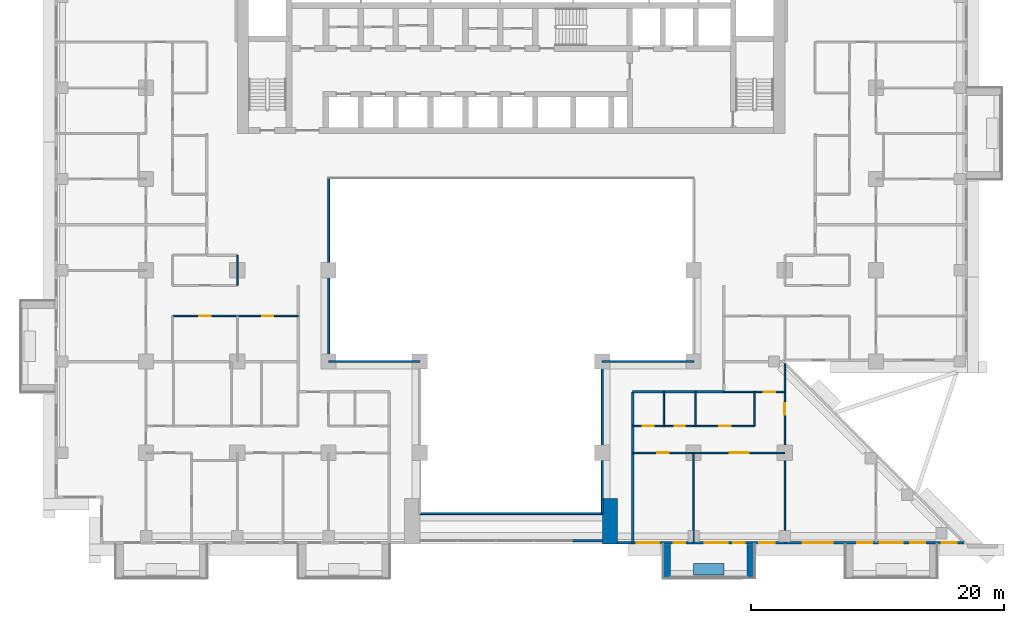
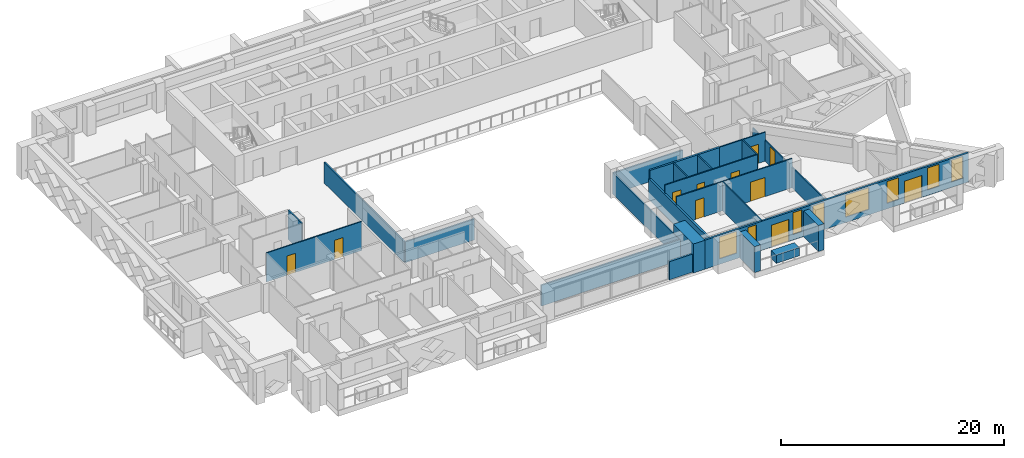
# One storey, part 8 of 17: 23 walls, 11 doors, 8 windows, 19 openings.
"""IFC4 building model written with IfcOpenShell, lengths in metres."""

from ifc_helpers import new_model, si_unit, direction, frame, frame_2d, origin, place, context, subcontext, project, spatial, rectangle, extrude, material, layer, layer_set, type_object, element, fill, save


model = new_model("IFC4")

# Units and contexts
model_context = context("Model", 3, precision=1e-05, world=origin(), true_north=direction((0.0, 1.0)))
body_context = subcontext(model_context, "Body", "Model", "MODEL_VIEW")
ifc_project = project(units=[si_unit("LENGTHUNIT", "METRE"), si_unit("AREAUNIT", "SQUARE_METRE"), si_unit("VOLUMEUNIT", "CUBIC_METRE"), si_unit("PLANEANGLEUNIT", "RADIAN"), si_unit("MASSUNIT", "GRAM", prefix="KILO")], contexts=[model_context])

# Site, building, storey
site_placement = place(None, origin())
site = spatial("IfcSite", under=ifc_project, at=site_placement, CompositionType="ELEMENT")
building_placement = place(site_placement, origin())
building = spatial("IfcBuilding", under=site, at=building_placement, Name="Saffron Iwan Residences", CompositionType="ELEMENT")
storey_placement = place(building_placement, frame((0.0, 0.0, 97.0)))
storey = spatial("IfcBuildingStorey", under=building, at=storey_placement, Name="L25", CompositionType="ELEMENT", Elevation=97.0)

# Walls
ifc_material_1 = material(Name="Fire-rated glazing", Category="glass")
ifc_layer_1 = layer(ifc_material_1, 0.14990234375)
ifc_layer_set_1 = layer_set([ifc_layer_1], Name="Fire-rated glazing")
wall_type_1 = type_object("IfcWallType", Name="Atrium glazed screen 150", PredefinedType="SOLIDWALL", material=ifc_layer_set_1)
wall_1_placement = place(storey_placement, frame((43.199951171875, 36.0, 0.0), z_axis=(0.0, 0.0, 1.0), x_axis=(1.0, 0.0, 0.0)))
element("IfcWall", 1, at=wall_1_placement, inside=storey, type_object=wall_type_1, Name="W-L25-SCREEN-h36-43.2", PredefinedType="SOLIDWALL", context=body_context, shape_type="SweptSolid", body=[
    extrude(rectangle(XDim=14.400146484375, YDim=0.14990234375, at=frame_2d((7.2001953125, 0.0))), origin(), (0.0, 0.0, 1.0), 2.280029296875),
])
for number, where, z_axis, x_axis, name in (
    (2, (36.0, 48.0, 0.0), (0.0, 0.0, 1.0), (1.0, 0.0, 0.0), "W-L25-SCREEN-h48-36"),
    (3, (57.60009765625, 48.0, 0.0), (0.0, 0.0, 1.0), (1.0, 0.0, 0.0), "W-L25-SCREEN-h48-57.6"),
):
    element("IfcWall", number, at=place(storey_placement, frame(where, z_axis=z_axis, x_axis=x_axis)), inside=storey, type_object=wall_type_1, Name=name, PredefinedType="SOLIDWALL", context=body_context, shape_type="SweptSolid", body=[
        extrude(rectangle(XDim=7.199951171875, YDim=0.14990234375, at=frame_2d((3.60009765625, 0.0))), origin(), (0.0, 0.0, 1.0), 2.280029296875),
    ])
wall_2_placement = place(storey_placement, frame((36.0, 48.0, 0.0), z_axis=(0.0, 0.0, 1.0), x_axis=(0.0, 1.0, 0.0)))
element("IfcWall", 4, at=wall_2_placement, inside=storey, type_object=wall_type_1, Name="W-L25-SCREEN-v36-48", PredefinedType="SOLIDWALL", context=body_context, shape_type="SweptSolid", body=[
    extrude(rectangle(XDim=14.39990234375, YDim=0.14990234375, at=frame_2d((7.199951171875, 0.0))), origin(), (0.0, 0.0, 1.0), 2.280029296875),
])
wall_3_placement = place(storey_placement, frame((57.60009765625, 36.0, 0.0), z_axis=(0.0, 0.0, 1.0), x_axis=(0.0, 1.0, 0.0)))
element("IfcWall", 5, at=wall_3_placement, inside=storey, type_object=wall_type_1, Name="W-L25-SCREEN-v57.6-36", PredefinedType="SOLIDWALL", context=body_context, shape_type="SweptSolid", body=[
    extrude(rectangle(XDim=12.0, YDim=0.14990234375, at=frame_2d((6.0, 0.0))), origin(), (0.0, 0.0, 1.0), 2.280029296875),
])
ifc_material_2 = material(Name="Concrete C50/60 white painted", Category="concrete")
ifc_layer_2 = layer(ifc_material_2, 0.60009765625)
ifc_layer_set_2 = layer_set([ifc_layer_2], Name="Concrete C50/60 white painted")
wall_type_2 = type_object("IfcWallType", Name="BALCONY FIN 600", PredefinedType="SOLIDWALL", material=ifc_layer_set_2)
for number, where, z_axis, x_axis, name in (
    (6, (62.699951171875, 33.550048828125, 0.0), (0.0, 0.0, 1.0), (0.0, -1.0, 0.0), "Balcony fin L25 11-2a"),
    (7, (69.300048828125, 33.550048828125, 0.0), (0.0, 0.0, 1.0), (0.0, -1.0, 0.0), "Balcony fin L25 11-2b"),
):
    element("IfcWall", number, at=place(storey_placement, frame(where, z_axis=z_axis, x_axis=x_axis)), inside=storey, type_object=wall_type_2, Name=name, PredefinedType="SOLIDWALL", context=body_context, shape_type="SweptSolid", body=[
        extrude(rectangle(XDim=2.650146484375, YDim=0.60009765625, at=frame_2d((1.3251953125, 0.0))), origin(), (0.0, 0.0, 1.0), 2.85009765625),
    ])
ifc_material_3 = material(Name="Concrete C35/45 white painted", Category="concrete")
ifc_layer_3 = layer(ifc_material_3, 0.14990234375)
ifc_layer_set_3 = layer_set([ifc_layer_3], Name="Concrete C35/45 white painted")
wall_type_3 = type_object("IfcWallType", Name="BALCONY PLANTER", PredefinedType="SOLIDWALL", material=ifc_layer_set_3)
wall_4_placement = place(storey_placement, frame((64.800048828125, 31.625, 0.0), z_axis=(0.0, 0.0, 1.0), x_axis=(1.0, 0.0, 0.0)))
element("IfcWall", 8, at=wall_4_placement, inside=storey, type_object=wall_type_3, Name="PLANTER L25 11-2", PredefinedType="SOLIDWALL", context=body_context, shape_type="SweptSolid", body=[
    extrude(rectangle(XDim=2.39990234375, YDim=0.89990234375, at=frame_2d((1.199951171875, 0.0))), origin(), (0.0, 0.0, 1.0), 0.89990234375),
])

# Wall, openings, doors, windows
ifc_material_4 = material(Name="Concrete C40/50", Category="concrete")
ifc_layer_4 = layer(ifc_material_4, 0.199951171875)
ifc_layer_set_4 = layer_set([ifc_layer_4], Name="Concrete C40/50")
wall_type_4 = type_object("IfcWallType", Name="EXTERNAL WALL 200", PredefinedType="SOLIDWALL", material=ifc_layer_set_4)
wall_5_placement = place(storey_placement, frame((58.800048828125, 33.699951171875, 0.0), z_axis=(0.0, 0.0, 1.0), x_axis=(1.0, 0.0, 0.0)))
wall_5 = element("IfcWall", 9, at=wall_5_placement, inside=storey, type_object=wall_type_4, Name="External wall L25 F11.1", PredefinedType="SOLIDWALL", context=body_context, shape_type="SweptSolid", body=[
    extrude(rectangle(XDim=27.358642578125, YDim=0.199951171875, at=frame_2d((13.67919921875, 0.0))), origin(), (0.0, 0.0, 1.0), 3.179931640625),
])
opening_1_placement = place(wall_5_placement, frame((6.89990234375, 0.0, 0.0)))
opening_1 = element("IfcOpeningElement", 10, at=opening_1_placement, cuts=wall_5, Name="Opening BD1", PredefinedType="OPENING", context=body_context, shape_type="SweptSolid", body=[
    extrude(rectangle(XDim=1.800048828125, YDim=2.39990234375, at=frame_2d((0.89990234375, 1.199951171875))), frame((0.0, 0.10986328125, 0.0), z_axis=(0.0, -1.0, 0.0), x_axis=(1.0, 0.0, 0.0)), (0.0, 0.0, 1.0), 0.219970703125),
])
opening_2_placement = place(wall_5_placement, frame((20.699951171875, 0.0, 0.0)))
opening_2 = element("IfcOpeningElement", 11, at=opening_2_placement, cuts=wall_5, Name="Opening BD1", PredefinedType="OPENING", context=body_context, shape_type="SweptSolid", body=[
    extrude(rectangle(XDim=1.800048828125, YDim=2.39990234375, at=frame_2d((0.89990234375, 1.199951171875))), frame((0.0, 0.10986328125, 0.0), z_axis=(0.0, -1.0, 0.0), x_axis=(1.0, 0.0, 0.0)), (0.0, 0.0, 1.0), 0.219970703125),
])
opening_3_placement = place(wall_5_placement, frame((9.14990234375, 0.0, 0.60009765625)))
opening_3 = element("IfcOpeningElement", 12, at=opening_3_placement, cuts=wall_5, Name="Opening W10", PredefinedType="OPENING", context=body_context, shape_type="SweptSolid", body=[
    extrude(rectangle(XDim=0.89990234375, YDim=2.39990234375, at=frame_2d((0.449951171875, 1.199951171875))), frame((0.0, 0.10986328125, 0.0), z_axis=(0.0, -1.0, 0.0), x_axis=(1.0, 0.0, 0.0)), (0.0, 0.0, 1.0), 0.219970703125),
])
opening_4_placement = place(wall_5_placement, frame((11.199951171875, 0.0, 0.60009765625)))
opening_4 = element("IfcOpeningElement", 13, at=opening_4_placement, cuts=wall_5, Name="Opening W3", PredefinedType="OPENING", context=body_context, shape_type="SweptSolid", body=[
    extrude(rectangle(XDim=1.199951171875, YDim=2.39990234375, at=frame_2d((0.60009765625, 1.199951171875))), frame((0.0, 0.10986328125, 0.0), z_axis=(0.0, -1.0, 0.0), x_axis=(1.0, 0.0, 0.0)), (0.0, 0.0, 1.0), 0.219970703125),
])
opening_5_placement = place(wall_5_placement, frame((1.5, 0.0, 0.60009765625)))
opening_5 = element("IfcOpeningElement", 14, at=opening_5_placement, cuts=wall_5, Name="Opening W8", PredefinedType="OPENING", context=body_context, shape_type="SweptSolid", body=[
    extrude(rectangle(XDim=1.800048828125, YDim=2.39990234375, at=frame_2d((0.89990234375, 1.199951171875))), frame((0.0, 0.10986328125, 0.0), z_axis=(0.0, -1.0, 0.0), x_axis=(1.0, 0.0, 0.0)), (0.0, 0.0, 1.0), 0.219970703125),
])
opening_6_placement = place(wall_5_placement, frame((4.449951171875, 0.0, 0.60009765625)))
opening_6 = element("IfcOpeningElement", 15, at=opening_6_placement, cuts=wall_5, Name="Opening W10", PredefinedType="OPENING", context=body_context, shape_type="SweptSolid", body=[
    extrude(rectangle(XDim=0.89990234375, YDim=2.39990234375, at=frame_2d((0.449951171875, 1.199951171875))), frame((0.0, 0.10986328125, 0.0), z_axis=(0.0, -1.0, 0.0), x_axis=(1.0, 0.0, 0.0)), (0.0, 0.0, 1.0), 0.219970703125),
])
opening_7_placement = place(wall_5_placement, frame((14.60009765625, 0.0, 0.60009765625)))
opening_7 = element("IfcOpeningElement", 16, at=opening_7_placement, cuts=wall_5, Name="Opening W1", PredefinedType="OPENING", context=body_context, shape_type="SweptSolid", body=[
    extrude(rectangle(XDim=2.39990234375, YDim=2.39990234375, at=frame_2d((1.199951171875, 1.199951171875))), frame((0.0, 0.10986328125, 0.0), z_axis=(0.0, -1.0, 0.0), x_axis=(1.0, 0.0, 0.0)), (0.0, 0.0, 1.0), 0.219970703125),
])
opening_8_placement = place(wall_5_placement, frame((18.89990234375, 0.0, 0.60009765625)))
opening_8 = element("IfcOpeningElement", 17, at=opening_8_placement, cuts=wall_5, Name="Opening W3", PredefinedType="OPENING", context=body_context, shape_type="SweptSolid", body=[
    extrude(rectangle(XDim=1.199951171875, YDim=2.39990234375, at=frame_2d((0.60009765625, 1.199951171875))), frame((0.0, 0.10986328125, 0.0), z_axis=(0.0, -1.0, 0.0), x_axis=(1.0, 0.0, 0.0)), (0.0, 0.0, 1.0), 0.219970703125),
])
opening_9_placement = place(wall_5_placement, frame((23.10009765625, 0.0, 0.60009765625)))
opening_9 = element("IfcOpeningElement", 18, at=opening_9_placement, cuts=wall_5, Name="Opening W3", PredefinedType="OPENING", context=body_context, shape_type="SweptSolid", body=[
    extrude(rectangle(XDim=1.199951171875, YDim=2.39990234375, at=frame_2d((0.60009765625, 1.199951171875))), frame((0.0, 0.10986328125, 0.0), z_axis=(0.0, -1.0, 0.0), x_axis=(1.0, 0.0, 0.0)), (0.0, 0.0, 1.0), 0.219970703125),
])
opening_10_placement = place(wall_5_placement, frame((25.579345703125, 0.0, 0.60009765625)))
opening_10 = element("IfcOpeningElement", 19, at=opening_10_placement, cuts=wall_5, Name="Opening W3", PredefinedType="OPENING", context=body_context, shape_type="SweptSolid", body=[
    extrude(rectangle(XDim=1.199951171875, YDim=2.39990234375, at=frame_2d((0.60009765625, 1.199951171875))), frame((0.0, 0.10986328125, 0.0), z_axis=(0.0, -1.0, 0.0), x_axis=(1.0, 0.0, 0.0)), (0.0, 0.0, 1.0), 0.219970703125),
])
ifc_material_5 = material(Name="Clear glass, laminated double glazed", Category="glass")
door_type_1 = type_object("IfcDoorType", Name="BALCONY DOOR 1800 x 2400", OperationType="DOUBLE_DOOR_SLIDING", PredefinedType="DOOR", material=ifc_material_5)
door_1_placement = place(opening_1_placement, origin())
door_1 = element("IfcDoor", 20, at=door_1_placement, inside=storey, type_object=door_type_1, Name="Balcony door L25 F11.0", OperationType="DOUBLE_DOOR_SLIDING", OverallHeight=2.39990234375, OverallWidth=1.800048828125, PredefinedType="DOOR", context=body_context, shape_type="SweptSolid", body=[
    extrude(rectangle(XDim=1.800048828125, YDim=2.39990234375, at=frame_2d((0.89990234375, 1.199951171875))), frame((0.0, 0.02490234375, 0.0), z_axis=(0.0, -1.0, 0.0), x_axis=(1.0, 0.0, 0.0)), (0.0, 0.0, 1.0), 0.050048828125),
])
fill(opening_1, door_1)
door_2_placement = place(opening_2_placement, origin())
door_2 = element("IfcDoor", 21, at=door_2_placement, inside=storey, type_object=door_type_1, Name="Balcony door L25 F11.1", OperationType="DOUBLE_DOOR_SLIDING", OverallHeight=2.39990234375, OverallWidth=1.800048828125, PredefinedType="DOOR", context=body_context, shape_type="SweptSolid", body=[
    extrude(rectangle(XDim=1.800048828125, YDim=2.39990234375, at=frame_2d((0.89990234375, 1.199951171875))), frame((0.0, 0.02490234375, 0.0), z_axis=(0.0, -1.0, 0.0), x_axis=(1.0, 0.0, 0.0)), (0.0, 0.0, 1.0), 0.050048828125),
])
fill(opening_2, door_2)
window_type_1 = type_object("IfcWindowType", Name="WINDOW 1200 x 2400", PartitioningType="SINGLE_PANEL", PredefinedType="WINDOW", material=ifc_material_5)
window_1_placement = place(opening_4_placement, origin())
window_1 = element("IfcWindow", 22, at=window_1_placement, inside=storey, type_object=window_type_1, Name="Window L25 F11.3", OverallHeight=2.39990234375, OverallWidth=1.199951171875, PartitioningType="SINGLE_PANEL", PredefinedType="WINDOW", context=body_context, shape_type="SweptSolid", body=[
    extrude(rectangle(XDim=1.199951171875, YDim=2.39990234375, at=frame_2d((0.60009765625, 1.199951171875))), frame((0.0, 0.030029296875, 0.0), z_axis=(0.0, -1.0, 0.0), x_axis=(1.0, 0.0, 0.0)), (0.0, 0.0, 1.0), 0.06005859375),
])
fill(opening_4, window_1)
window_2_placement = place(opening_8_placement, origin())
window_2 = element("IfcWindow", 23, at=window_2_placement, inside=storey, type_object=window_type_1, Name="Window L25 F11.7", OverallHeight=2.39990234375, OverallWidth=1.199951171875, PartitioningType="SINGLE_PANEL", PredefinedType="WINDOW", context=body_context, shape_type="SweptSolid", body=[
    extrude(rectangle(XDim=1.199951171875, YDim=2.39990234375, at=frame_2d((0.60009765625, 1.199951171875))), frame((0.0, 0.030029296875, 0.0), z_axis=(0.0, -1.0, 0.0), x_axis=(1.0, 0.0, 0.0)), (0.0, 0.0, 1.0), 0.06005859375),
])
fill(opening_8, window_2)
window_3_placement = place(opening_9_placement, origin())
window_3 = element("IfcWindow", 24, at=window_3_placement, inside=storey, type_object=window_type_1, Name="Window L25 F11.8", OverallHeight=2.39990234375, OverallWidth=1.199951171875, PartitioningType="SINGLE_PANEL", PredefinedType="WINDOW", context=body_context, shape_type="SweptSolid", body=[
    extrude(rectangle(XDim=1.199951171875, YDim=2.39990234375, at=frame_2d((0.60009765625, 1.199951171875))), frame((0.0, 0.030029296875, 0.0), z_axis=(0.0, -1.0, 0.0), x_axis=(1.0, 0.0, 0.0)), (0.0, 0.0, 1.0), 0.06005859375),
])
fill(opening_9, window_3)
window_4_placement = place(opening_10_placement, origin())
window_4 = element("IfcWindow", 25, at=window_4_placement, inside=storey, type_object=window_type_1, Name="Window L25 F11.9", OverallHeight=2.39990234375, OverallWidth=1.199951171875, PartitioningType="SINGLE_PANEL", PredefinedType="WINDOW", context=body_context, shape_type="SweptSolid", body=[
    extrude(rectangle(XDim=1.199951171875, YDim=2.39990234375, at=frame_2d((0.60009765625, 1.199951171875))), frame((0.0, 0.030029296875, 0.0), z_axis=(0.0, -1.0, 0.0), x_axis=(1.0, 0.0, 0.0)), (0.0, 0.0, 1.0), 0.06005859375),
])
fill(opening_10, window_4)
window_type_2 = type_object("IfcWindowType", Name="WINDOW 1800 x 2400", PartitioningType="DOUBLE_PANEL_VERTICAL", PredefinedType="WINDOW", material=ifc_material_5)
window_5_placement = place(opening_5_placement, origin())
window_5 = element("IfcWindow", 26, at=window_5_placement, inside=storey, type_object=window_type_2, Name="Window L25 F11.4", OverallHeight=2.39990234375, OverallWidth=1.800048828125, PartitioningType="DOUBLE_PANEL_VERTICAL", PredefinedType="WINDOW", context=body_context, shape_type="SweptSolid", body=[
    extrude(rectangle(XDim=1.800048828125, YDim=2.39990234375, at=frame_2d((0.89990234375, 1.199951171875))), frame((0.0, 0.030029296875, 0.0), z_axis=(0.0, -1.0, 0.0), x_axis=(1.0, 0.0, 0.0)), (0.0, 0.0, 1.0), 0.06005859375),
])
fill(opening_5, window_5)
window_type_3 = type_object("IfcWindowType", Name="WINDOW 2400 x 2400", PartitioningType="DOUBLE_PANEL_VERTICAL", PredefinedType="WINDOW", material=ifc_material_5)
window_6_placement = place(opening_7_placement, origin())
window_6 = element("IfcWindow", 27, at=window_6_placement, inside=storey, type_object=window_type_3, Name="Window L25 F11.6", OverallHeight=2.39990234375, OverallWidth=2.39990234375, PartitioningType="DOUBLE_PANEL_VERTICAL", PredefinedType="WINDOW", context=body_context, shape_type="SweptSolid", body=[
    extrude(rectangle(XDim=2.39990234375, YDim=2.39990234375, at=frame_2d((1.199951171875, 1.199951171875))), frame((0.0, 0.030029296875, 0.0), z_axis=(0.0, -1.0, 0.0), x_axis=(1.0, 0.0, 0.0)), (0.0, 0.0, 1.0), 0.06005859375),
])
fill(opening_7, window_6)
window_type_4 = type_object("IfcWindowType", Name="WINDOW 900 x 2400", PartitioningType="SINGLE_PANEL", PredefinedType="WINDOW", material=ifc_material_5)
window_7_placement = place(opening_3_placement, origin())
window_7 = element("IfcWindow", 28, at=window_7_placement, inside=storey, type_object=window_type_4, Name="Window L25 F11.2", OverallHeight=2.39990234375, OverallWidth=0.89990234375, PartitioningType="SINGLE_PANEL", PredefinedType="WINDOW", context=body_context, shape_type="SweptSolid", body=[
    extrude(rectangle(XDim=0.89990234375, YDim=2.39990234375, at=frame_2d((0.449951171875, 1.199951171875))), frame((0.0, 0.030029296875, 0.0), z_axis=(0.0, -1.0, 0.0), x_axis=(1.0, 0.0, 0.0)), (0.0, 0.0, 1.0), 0.06005859375),
])
fill(opening_3, window_7)
window_8_placement = place(opening_6_placement, origin())
window_8 = element("IfcWindow", 29, at=window_8_placement, inside=storey, type_object=window_type_4, Name="Window L25 F11.5", OverallHeight=2.39990234375, OverallWidth=0.89990234375, PartitioningType="SINGLE_PANEL", PredefinedType="WINDOW", context=body_context, shape_type="SweptSolid", body=[
    extrude(rectangle(XDim=0.89990234375, YDim=2.39990234375, at=frame_2d((0.449951171875, 1.199951171875))), frame((0.0, 0.030029296875, 0.0), z_axis=(0.0, -1.0, 0.0), x_axis=(1.0, 0.0, 0.0)), (0.0, 0.0, 1.0), 0.06005859375),
])
fill(opening_6, window_8)

# Wall
wall_6_placement = place(storey_placement, frame((55.199951171875, 33.85009765625, 0.0), z_axis=(0.0, 0.0, 1.0), x_axis=(1.0, 0.0, 0.0)))
element("IfcWall", 30, at=wall_6_placement, inside=storey, type_object=wall_type_4, Name="External wall infill CWB-L25-0", PredefinedType="SOLIDWALL", context=body_context, shape_type="SweptSolid", body=[
    extrude(rectangle(XDim=2.400146484375, YDim=0.199951171875, at=frame_2d((1.2001953125, 0.0))), origin(), (0.0, 0.0, 1.0), 1.97998046875),
])

# Wall, openings, doors
ifc_material_6 = material(Name="Gypsum board partition")
ifc_layer_5 = layer(ifc_material_6, 0.1201171875)
ifc_layer_set_5 = layer_set([ifc_layer_5], Name="Gypsum board partition")
wall_type_5 = type_object("IfcWallType", Name="Flat partition 120", PredefinedType="PARTITIONING", material=ifc_layer_set_5)
wall_7_placement = place(storey_placement, frame((60.0, 40.800048828125, 0.0), z_axis=(0.0, 0.0, 1.0), x_axis=(1.0, 0.0, 0.0)))
wall_7 = element("IfcWall", 31, at=wall_7_placement, inside=storey, type_object=wall_type_5, Name="W-L25-PART-h40.8-60", PredefinedType="PARTITIONING", context=body_context, shape_type="SweptSolid", body=[
    extrude(rectangle(XDim=12.0, YDim=0.1201171875, at=frame_2d((6.0, 0.0))), origin(), (0.0, 0.0, 1.0), 3.179931640625),
])
opening_11_placement = place(wall_7_placement, frame((7.64990234375, 0.0, 0.0)))
opening_11 = element("IfcOpeningElement", 32, at=opening_11_placement, cuts=wall_7, Name="Opening FD4", PredefinedType="OPENING", context=body_context, shape_type="SweptSolid", body=[
    extrude(rectangle(XDim=1.5, YDim=2.10009765625, at=frame_2d((0.75, 1.050048828125))), frame((0.0, 0.070068359375, 0.0), z_axis=(0.0, -1.0, 0.0), x_axis=(1.0, 0.0, 0.0)), (0.0, 0.0, 1.0), 0.14013671875),
])
opening_12_placement = place(wall_7_placement, frame((1.949951171875, 0.0, 0.0)))
opening_12 = element("IfcOpeningElement", 33, at=opening_12_placement, cuts=wall_7, Name="Opening FD2", PredefinedType="OPENING", context=body_context, shape_type="SweptSolid", body=[
    extrude(rectangle(XDim=0.89990234375, YDim=2.10009765625, at=frame_2d((0.449951171875, 1.050048828125))), frame((0.0, 0.070068359375, 0.0), z_axis=(0.0, -1.0, 0.0), x_axis=(1.0, 0.0, 0.0)), (0.0, 0.0, 1.0), 0.14013671875),
])
ifc_material_7 = material(Name="Timber door", Category="wood")
door_type_2 = type_object("IfcDoorType", Name="Double door 1500", OperationType="NOTDEFINED", PredefinedType="DOOR", material=ifc_material_7)
door_3_placement = place(opening_11_placement, origin())
door_3 = element("IfcDoor", 34, at=door_3_placement, inside=storey, type_object=door_type_2, Name="Door L25-046", OperationType="SINGLE_SWING_LEFT", OverallHeight=2.10009765625, OverallWidth=1.5, PredefinedType="DOOR", context=body_context, shape_type="SweptSolid", body=[
    extrude(rectangle(XDim=1.5, YDim=2.10009765625, at=frame_2d((0.75, 1.050048828125))), frame((0.0, 0.02490234375, 0.0), z_axis=(0.0, -1.0, 0.0), x_axis=(1.0, 0.0, 0.0)), (0.0, 0.0, 1.0), 0.050048828125),
])
fill(opening_11, door_3)
door_type_3 = type_object("IfcDoorType", Name="Flat door 900", OperationType="NOTDEFINED", PredefinedType="DOOR", material=ifc_material_7)
door_4_placement = place(opening_12_placement, origin())
door_4 = element("IfcDoor", 35, at=door_4_placement, inside=storey, type_object=door_type_3, Name="Door L25-047", OperationType="SINGLE_SWING_LEFT", OverallHeight=2.10009765625, OverallWidth=0.89990234375, PredefinedType="DOOR", context=body_context, shape_type="SweptSolid", body=[
    extrude(rectangle(XDim=0.89990234375, YDim=2.10009765625, at=frame_2d((0.449951171875, 1.050048828125))), frame((0.0, 0.02490234375, 0.0), z_axis=(0.0, -1.0, 0.0), x_axis=(1.0, 0.0, 0.0)), (0.0, 0.0, 1.0), 0.050048828125),
])
fill(opening_12, door_4)

wall_8_placement = place(storey_placement, frame((60.0, 42.89990234375, 0.0), z_axis=(0.0, 0.0, 1.0), x_axis=(1.0, 0.0, 0.0)))
wall_8 = element("IfcWall", 36, at=wall_8_placement, inside=storey, type_object=wall_type_5, Name="W-L25-PART-h42.9-60", PredefinedType="PARTITIONING", context=body_context, shape_type="SweptSolid", body=[
    extrude(rectangle(XDim=9.60009765625, YDim=0.1201171875, at=frame_2d((4.800048828125, 0.0))), origin(), (0.0, 0.0, 1.0), 3.179931640625),
])
opening_13_placement = place(wall_8_placement, frame((6.824951171875, 0.0, 0.0)))
opening_13 = element("IfcOpeningElement", 37, at=opening_13_placement, cuts=wall_8, Name="Opening FD2", PredefinedType="OPENING", context=body_context, shape_type="SweptSolid", body=[
    extrude(rectangle(XDim=0.89990234375, YDim=2.10009765625, at=frame_2d((0.449951171875, 1.050048828125))), frame((0.0, 0.070068359375, 0.0), z_axis=(0.0, -1.0, 0.0), x_axis=(1.0, 0.0, 0.0)), (0.0, 0.0, 1.0), 0.14013671875),
])
opening_14_placement = place(wall_8_placement, frame((3.300048828125, 0.0, 0.0)))
opening_14 = element("IfcOpeningElement", 38, at=opening_14_placement, cuts=wall_8, Name="Opening FD3", PredefinedType="OPENING", context=body_context, shape_type="SweptSolid", body=[
    extrude(rectangle(XDim=0.800048828125, YDim=2.10009765625, at=frame_2d((0.39990234375, 1.050048828125))), frame((0.0, 0.070068359375, 0.0), z_axis=(0.0, -1.0, 0.0), x_axis=(1.0, 0.0, 0.0)), (0.0, 0.0, 1.0), 0.14013671875),
])
opening_15_placement = place(wall_8_placement, frame((0.77490234375, 0.0, 0.0)))
opening_15 = element("IfcOpeningElement", 39, at=opening_15_placement, cuts=wall_8, Name="Opening FD2", PredefinedType="OPENING", context=body_context, shape_type="SweptSolid", body=[
    extrude(rectangle(XDim=0.89990234375, YDim=2.10009765625, at=frame_2d((0.449951171875, 1.050048828125))), frame((0.0, 0.070068359375, 0.0), z_axis=(0.0, -1.0, 0.0), x_axis=(1.0, 0.0, 0.0)), (0.0, 0.0, 1.0), 0.14013671875),
])
door_type_4 = type_object("IfcDoorType", Name="Bathroom door 800", OperationType="NOTDEFINED", PredefinedType="DOOR", material=ifc_material_7)
door_5_placement = place(opening_14_placement, origin())
door_5 = element("IfcDoor", 40, at=door_5_placement, inside=storey, type_object=door_type_4, Name="Door L25-049", OperationType="SINGLE_SWING_LEFT", OverallHeight=2.10009765625, OverallWidth=0.800048828125, PredefinedType="DOOR", context=body_context, shape_type="SweptSolid", body=[
    extrude(rectangle(XDim=0.800048828125, YDim=2.10009765625, at=frame_2d((0.39990234375, 1.050048828125))), frame((0.0, 0.02490234375, 0.0), z_axis=(0.0, -1.0, 0.0), x_axis=(1.0, 0.0, 0.0)), (0.0, 0.0, 1.0), 0.050048828125),
])
fill(opening_14, door_5)
door_6_placement = place(opening_13_placement, origin())
door_6 = element("IfcDoor", 41, at=door_6_placement, inside=storey, type_object=door_type_3, Name="Door L25-048", OperationType="SINGLE_SWING_RIGHT", OverallHeight=2.10009765625, OverallWidth=0.89990234375, PredefinedType="DOOR", context=body_context, shape_type="SweptSolid", body=[
    extrude(rectangle(XDim=0.89990234375, YDim=2.10009765625, at=frame_2d((0.449951171875, 1.050048828125))), frame((0.0, 0.02490234375, 0.0), z_axis=(0.0, -1.0, 0.0), x_axis=(1.0, 0.0, 0.0)), (0.0, 0.0, 1.0), 0.050048828125),
])
fill(opening_13, door_6)
door_7_placement = place(opening_15_placement, origin())
door_7 = element("IfcDoor", 42, at=door_7_placement, inside=storey, type_object=door_type_3, Name="Door L25-050", OperationType="SINGLE_SWING_LEFT", OverallHeight=2.10009765625, OverallWidth=0.89990234375, PredefinedType="DOOR", context=body_context, shape_type="SweptSolid", body=[
    extrude(rectangle(XDim=0.89990234375, YDim=2.10009765625, at=frame_2d((0.449951171875, 1.050048828125))), frame((0.0, 0.02490234375, 0.0), z_axis=(0.0, -1.0, 0.0), x_axis=(1.0, 0.0, 0.0)), (0.0, 0.0, 1.0), 0.050048828125),
])
fill(opening_15, door_7)

# Wall, opening, door
wall_9_placement = place(storey_placement, frame((67.199951171875, 45.60009765625, 0.0), z_axis=(0.0, 0.0, 1.0), x_axis=(1.0, 0.0, 0.0)))
wall_9 = element("IfcWall", 43, at=wall_9_placement, inside=storey, type_object=wall_type_5, Name="W-L25-PART-h45.6-67.2", PredefinedType="PARTITIONING", context=body_context, shape_type="SweptSolid", body=[
    extrude(rectangle(XDim=4.800048828125, YDim=0.1201171875, at=frame_2d((2.39990234375, 0.0))), origin(), (0.0, 0.0, 1.0), 3.179931640625),
])
opening_16_placement = place(wall_9_placement, frame((3.14990234375, 0.0, 0.0)))
opening_16 = element("IfcOpeningElement", 44, at=opening_16_placement, cuts=wall_9, Name="Opening FD2", PredefinedType="OPENING", context=body_context, shape_type="SweptSolid", body=[
    extrude(rectangle(XDim=0.89990234375, YDim=2.10009765625, at=frame_2d((0.449951171875, 1.050048828125))), frame((0.0, 0.070068359375, 0.0), z_axis=(0.0, -1.0, 0.0), x_axis=(1.0, 0.0, 0.0)), (0.0, 0.0, 1.0), 0.14013671875),
])
door_8_placement = place(opening_16_placement, origin())
door_8 = element("IfcDoor", 45, at=door_8_placement, inside=storey, type_object=door_type_3, Name="Door L25-044", OperationType="SINGLE_SWING_LEFT", OverallHeight=2.10009765625, OverallWidth=0.89990234375, PredefinedType="DOOR", context=body_context, shape_type="SweptSolid", body=[
    extrude(rectangle(XDim=0.89990234375, YDim=2.10009765625, at=frame_2d((0.449951171875, 1.050048828125))), frame((0.0, 0.02490234375, 0.0), z_axis=(0.0, -1.0, 0.0), x_axis=(1.0, 0.0, 0.0)), (0.0, 0.0, 1.0), 0.050048828125),
])
fill(opening_16, door_8)

# Wall, openings, doors
wall_10_placement = place(storey_placement, frame((23.699951171875, 51.60009765625, 0.0), z_axis=(0.0, 0.0, 1.0), x_axis=(1.0, 0.0, 0.0)))
wall_10 = element("IfcWall", 46, at=wall_10_placement, inside=storey, type_object=wall_type_5, Name="W-L25-PART-h51.6-23.7", PredefinedType="PARTITIONING", context=body_context, shape_type="SweptSolid", body=[
    extrude(rectangle(XDim=9.900146484375, YDim=0.1201171875, at=frame_2d((4.9501953125, 0.0))), origin(), (0.0, 0.0, 1.0), 3.179931640625),
])
opening_17_placement = place(wall_10_placement, frame((2.10009765625, 0.0, 0.0)))
opening_17 = element("IfcOpeningElement", 47, at=opening_17_placement, cuts=wall_10, Name="Opening FD2", PredefinedType="OPENING", context=body_context, shape_type="SweptSolid", body=[
    extrude(rectangle(XDim=0.89990234375, YDim=2.10009765625, at=frame_2d((0.449951171875, 1.050048828125))), frame((0.0, 0.070068359375, 0.0), z_axis=(0.0, -1.0, 0.0), x_axis=(1.0, 0.0, 0.0)), (0.0, 0.0, 1.0), 0.14013671875),
])
opening_18_placement = place(wall_10_placement, frame((7.050048828125, 0.0, 0.0)))
opening_18 = element("IfcOpeningElement", 48, at=opening_18_placement, cuts=wall_10, Name="Opening FD2", PredefinedType="OPENING", context=body_context, shape_type="SweptSolid", body=[
    extrude(rectangle(XDim=0.89990234375, YDim=2.10009765625, at=frame_2d((0.449951171875, 1.050048828125))), frame((0.0, 0.070068359375, 0.0), z_axis=(0.0, -1.0, 0.0), x_axis=(1.0, 0.0, 0.0)), (0.0, 0.0, 1.0), 0.14013671875),
])
door_9_placement = place(opening_17_placement, origin())
door_9 = element("IfcDoor", 49, at=door_9_placement, inside=storey, type_object=door_type_3, Name="Door L25-017", OperationType="SINGLE_SWING_LEFT", OverallHeight=2.10009765625, OverallWidth=0.89990234375, PredefinedType="DOOR", context=body_context, shape_type="SweptSolid", body=[
    extrude(rectangle(XDim=0.89990234375, YDim=2.10009765625, at=frame_2d((0.449951171875, 1.050048828125))), frame((0.0, 0.02490234375, 0.0), z_axis=(0.0, -1.0, 0.0), x_axis=(1.0, 0.0, 0.0)), (0.0, 0.0, 1.0), 0.050048828125),
])
fill(opening_17, door_9)
door_10_placement = place(opening_18_placement, origin())
door_10 = element("IfcDoor", 50, at=door_10_placement, inside=storey, type_object=door_type_3, Name="Door L25-019", OperationType="SINGLE_SWING_LEFT", OverallHeight=2.10009765625, OverallWidth=0.89990234375, PredefinedType="DOOR", context=body_context, shape_type="SweptSolid", body=[
    extrude(rectangle(XDim=0.89990234375, YDim=2.10009765625, at=frame_2d((0.449951171875, 1.050048828125))), frame((0.0, 0.02490234375, 0.0), z_axis=(0.0, -1.0, 0.0), x_axis=(1.0, 0.0, 0.0)), (0.0, 0.0, 1.0), 0.050048828125),
])
fill(opening_18, door_10)

# Walls
wall_11_placement = place(storey_placement, frame((28.800048828125, 54.0, 0.0), z_axis=(0.0, 0.0, 1.0), x_axis=(0.0, 1.0, 0.0)))
element("IfcWall", 51, at=wall_11_placement, inside=storey, type_object=wall_type_5, Name="W-L25-PART-v28.8-54", PredefinedType="PARTITIONING", context=body_context, shape_type="SweptSolid", body=[
    extrude(rectangle(XDim=2.39990234375, YDim=0.1201171875, at=frame_2d((1.199951171875, 0.0))), origin(), (0.0, 0.0, 1.0), 3.179931640625),
])
wall_12_placement = place(storey_placement, frame((62.449951171875, 42.89990234375, 0.0), z_axis=(0.0, 0.0, 1.0), x_axis=(0.0, 1.0, 0.0)))
element("IfcWall", 52, at=wall_12_placement, inside=storey, type_object=wall_type_5, Name="W-L25-PART-v62.45-42.9", PredefinedType="PARTITIONING", context=body_context, shape_type="SweptSolid", body=[
    extrude(rectangle(XDim=2.7001953125, YDim=0.1201171875, at=frame_2d((1.35009765625, 0.0))), origin(), (0.0, 0.0, 1.0), 3.179931640625),
])
wall_13_placement = place(storey_placement, frame((64.800048828125, 33.72509765625, 0.0), z_axis=(0.0, 0.0, 1.0), x_axis=(0.0, 1.0, 0.0)))
element("IfcWall", 53, at=wall_13_placement, inside=storey, type_object=wall_type_5, Name="W-L25-PART-v64.8-33.725", PredefinedType="PARTITIONING", context=body_context, shape_type="SweptSolid", body=[
    extrude(rectangle(XDim=7.074951171875, YDim=0.1201171875, at=frame_2d((3.53759765625, 0.0))), origin(), (0.0, 0.0, 1.0), 3.179931640625),
])
for number, where, z_axis, x_axis, name in (
    (54, (64.949951171875, 42.89990234375, 0.0), (0.0, 0.0, 1.0), (0.0, 1.0, 0.0), "W-L25-PART-v64.95-42.9"),
    (55, (69.60009765625, 42.89990234375, 0.0), (0.0, 0.0, 1.0), (0.0, 1.0, 0.0), "W-L25-PART-v69.6-42.9"),
):
    element("IfcWall", number, at=place(storey_placement, frame(where, z_axis=z_axis, x_axis=x_axis)), inside=storey, type_object=wall_type_5, Name=name, PredefinedType="PARTITIONING", context=body_context, shape_type="SweptSolid", body=[
        extrude(rectangle(XDim=2.7001953125, YDim=0.1201171875, at=frame_2d((1.35009765625, 0.0))), origin(), (0.0, 0.0, 1.0), 3.179931640625),
    ])

# Wall, opening, door
wall_14_placement = place(storey_placement, frame((72.0, 33.72509765625, 0.0), z_axis=(0.0, 0.0, 1.0), x_axis=(0.0, 1.0, 0.0)))
wall_14 = element("IfcWall", 56, at=wall_14_placement, inside=storey, type_object=wall_type_5, Name="W-L25-PART-v72-33.725", PredefinedType="PARTITIONING", context=body_context, shape_type="SweptSolid", body=[
    extrude(rectangle(XDim=14.097900390625, YDim=0.1201171875, at=frame_2d((7.048828125, 0.0))), origin(), (0.0, 0.0, 1.0), 2.280029296875),
])
opening_19_placement = place(wall_14_placement, frame((10.074951171875, 0.0, 0.0)))
opening_19 = element("IfcOpeningElement", 57, at=opening_19_placement, cuts=wall_14, Name="Opening FD2", PredefinedType="OPENING", context=body_context, shape_type="SweptSolid", body=[
    extrude(rectangle(XDim=0.89990234375, YDim=2.10009765625, at=frame_2d((0.449951171875, 1.050048828125))), frame((0.0, 0.070068359375, 0.0), z_axis=(0.0, -1.0, 0.0), x_axis=(1.0, 0.0, 0.0)), (0.0, 0.0, 1.0), 0.14013671875),
])
door_11_placement = place(opening_19_placement, origin())
door_11 = element("IfcDoor", 58, at=door_11_placement, inside=storey, type_object=door_type_3, Name="Door L25-051", OperationType="SINGLE_SWING_RIGHT", OverallHeight=2.10009765625, OverallWidth=0.89990234375, PredefinedType="DOOR", context=body_context, shape_type="SweptSolid", body=[
    extrude(rectangle(XDim=0.89990234375, YDim=2.10009765625, at=frame_2d((0.449951171875, 1.050048828125))), frame((0.0, 0.02490234375, 0.0), z_axis=(0.0, -1.0, 0.0), x_axis=(1.0, 0.0, 0.0)), (0.0, 0.0, 1.0), 0.050048828125),
])
fill(opening_19, door_11)

# Walls
ifc_material_8 = material(Name="Fire-rated gypsum board wall")
ifc_layer_6 = layer(ifc_material_8, 0.199951171875)
ifc_layer_set_6 = layer_set([ifc_layer_6], Name="Fire-rated gypsum board wall")
wall_type_6 = type_object("IfcWallType", Name="Gallery wall 200", PredefinedType="SOLIDWALL", material=ifc_layer_set_6)
wall_15_placement = place(storey_placement, frame((60.0, 45.60009765625, 0.0), z_axis=(0.0, 0.0, 1.0), x_axis=(1.0, 0.0, 0.0)))
element("IfcWall", 59, at=wall_15_placement, inside=storey, type_object=wall_type_6, Name="W-L25-CORR-h45.6-60", PredefinedType="SOLIDWALL", context=body_context, shape_type="SweptSolid", body=[
    extrude(rectangle(XDim=7.199951171875, YDim=0.199951171875, at=frame_2d((3.60009765625, 0.0))), origin(), (0.0, 0.0, 1.0), 3.179931640625),
])
wall_16_placement = place(storey_placement, frame((60.0, 33.72509765625, 0.0), z_axis=(0.0, 0.0, 1.0), x_axis=(0.0, 1.0, 0.0)))
element("IfcWall", 60, at=wall_16_placement, inside=storey, type_object=wall_type_6, Name="W-L25-CORR-v60-33.725", PredefinedType="SOLIDWALL", context=body_context, shape_type="SweptSolid", body=[
    extrude(rectangle(XDim=11.875, YDim=0.199951171875, at=frame_2d((5.9375, 0.0))), origin(), (0.0, 0.0, 1.0), 2.280029296875),
])
ifc_material_9 = material(Name="Concrete C60/75", Category="concrete")
ifc_layer_7 = layer(ifc_material_9, 1.199951171875)
ifc_layer_set_7 = layer_set([ifc_layer_7], Name="Concrete C60/75")
wall_type_7 = type_object("IfcWallType", Name="WALL IWAN PIER 1200 C60/75 3180 HIGH", PredefinedType="SHEAR", material=ifc_layer_set_7)
wall_17_placement = place(storey_placement, frame((58.199951171875, 33.60009765625, 0.0), z_axis=(0.0, 0.0, 1.0), x_axis=(0.0, 1.0, 0.0)))
element("IfcWall", 61, at=wall_17_placement, inside=storey, type_object=wall_type_7, Name="IWAN PIER", PredefinedType="SHEAR", context=body_context, shape_type="SweptSolid", body=[
    extrude(rectangle(XDim=3.599853515625, YDim=1.199951171875, at=frame_2d((1.7998046875, 0.0))), origin(), (0.0, 0.0, 1.0), 3.179931640625),
])

save(model, "model.ifc")
